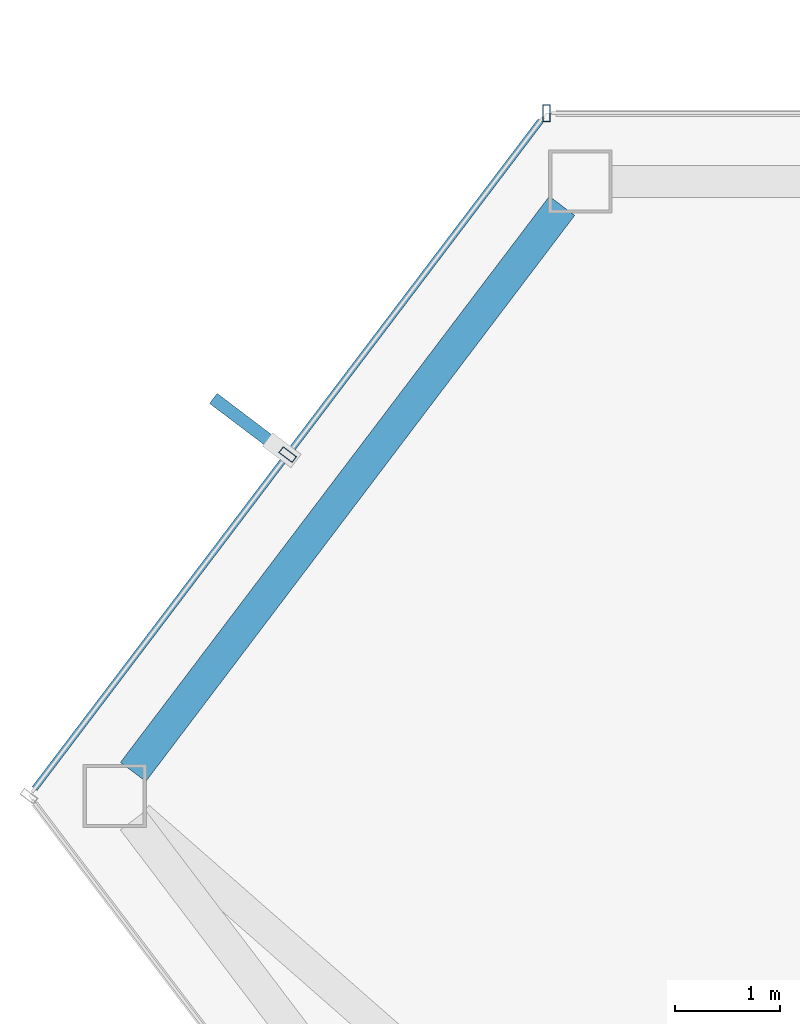
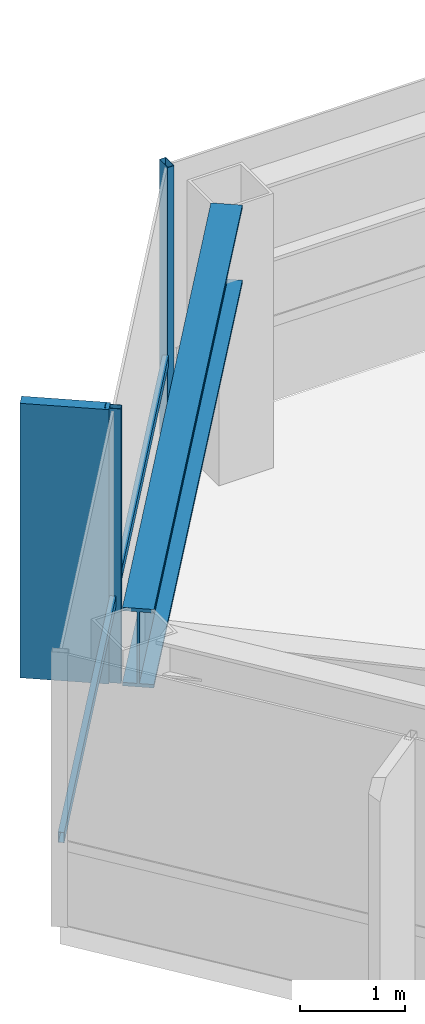
# One storey, part 10 of 25: 4 members, 1 beam, 2 elements without a shape of their own.
"""IFC4 building model written with IfcOpenShell, lengths in metres."""

import ifcopenshell
import ifcopenshell.guid

model = None  # the IFC model being written
_history = None  # IfcOwnerHistory: only IFC2X3 demands one
_inside = {}  # id of a spatial element -> (the spatial element, [elements in it])
_under = {}  # id of a project, library or spatial element -> (it, [spatial elements below it])
_declared = {}  # id of a project -> (the project, [libraries it declares])
_typed = {}  # id of a type object -> (the type object, [elements of that type])
_made_of = {}  # id of a material, layer set ... -> (it, [elements and type objects made of it])


def new_model(schema):
    """Start an empty IFC model of exactly this schema.

    Asked for "IFC4X3", IfcOpenShell would pick the latest addendum, in which some entities
    have other attributes; the version numbers below select the first issue.
    IFC2X3 requires an IfcOwnerHistory on every rooted entity: one is made here for all.
    """
    global model, _history
    if schema == "IFC4X3":
        model = ifcopenshell.file(schema_version=(4, 3, 0, 0))
    else:
        model = ifcopenshell.file(schema=schema)
    _inside.clear()
    _under.clear()
    _declared.clear()
    _typed.clear()
    _made_of.clear()
    _history = None
    if model.schema == "IFC2X3":
        org = make("IfcOrganization", Name="unknown")
        user = make(
            "IfcPersonAndOrganization",
            ThePerson=make("IfcPerson", FamilyName="unknown"),
            TheOrganization=org,
        )
        app = make(
            "IfcApplication",
            ApplicationDeveloper=org,
            Version="unknown",
            ApplicationFullName="unknown",
            ApplicationIdentifier="unknown",
        )
        _history = make(
            "IfcOwnerHistory",
            OwningUser=user,
            OwningApplication=app,
            ChangeAction="ADDED",
            CreationDate=0,
        )
    return model


def make(cls, **values):
    """One entity of the class cls with the attributes given. An attribute that is None is left unset."""
    return model.create_entity(
        cls, **{name: value for name, value in values.items() if value is not None}
    )


def rooted(cls, **values):
    """An entity with a GlobalId (a new one), such as an element, a storey or a relation."""
    return make(cls, GlobalId=ifcopenshell.guid.new(), OwnerHistory=_history, **values)


def si_unit(unit_type, name, prefix=None):
    """IfcSIUnit, for example si_unit("LENGTHUNIT", "METRE", prefix="MILLI")."""
    return make("IfcSIUnit", UnitType=unit_type, Prefix=prefix, Name=name)


def assignment(units):
    """IfcUnitAssignment: the units of a project."""
    return None if units is None else make("IfcUnitAssignment", Units=units)


def point(xyz):
    """IfcCartesianPoint."""
    return None if xyz is None else make("IfcCartesianPoint", Coordinates=xyz)


def direction(xyz):
    """IfcDirection."""
    return None if xyz is None else make("IfcDirection", DirectionRatios=xyz)


def frame(location, z_axis=None, x_axis=None):
    """IfcAxis2Placement3D, a coordinate frame: its origin and axes. An axis left out is left unset."""
    return make(
        "IfcAxis2Placement3D",
        Location=point(location),
        Axis=direction(z_axis),
        RefDirection=direction(x_axis),
    )


def frame_2d(location, x_axis=None):
    """IfcAxis2Placement2D, a coordinate frame in the plane: its origin and x axis."""
    return make(
        "IfcAxis2Placement2D", Location=point(location), RefDirection=direction(x_axis)
    )


def origin():
    """The frame at (0, 0, 0) with its axes left unset."""
    return frame((0.0, 0.0, 0.0))


def origin_2d():
    """The frame at (0, 0) in the plane with its x axis left unset."""
    return frame_2d((0.0, 0.0))


def place(relative_to, where):
    """IfcLocalPlacement: puts the frame where relative to a parent placement (None: the world)."""
    return make(
        "IfcLocalPlacement", PlacementRelTo=relative_to, RelativePlacement=where
    )


def context(
    kind, dimensions, precision=None, world=None, true_north=None, identifier=None
):
    """IfcGeometricRepresentationContext, for example the 3D "Model" context."""
    return make(
        "IfcGeometricRepresentationContext",
        ContextIdentifier=identifier,
        ContextType=kind,
        CoordinateSpaceDimension=dimensions,
        Precision=precision,
        WorldCoordinateSystem=world,
        TrueNorth=true_north,
    )


def subcontext(parent, identifier, kind, view, scale=None):
    """IfcGeometricRepresentationSubContext, for example "Body" below "Model"."""
    return make(
        "IfcGeometricRepresentationSubContext",
        ContextIdentifier=identifier,
        ContextType=kind,
        ParentContext=parent,
        TargetScale=scale,
        TargetView=view,
    )


def project(units=None, contexts=None):
    """IfcProject with its units and contexts."""
    return rooted(
        "IfcProject",
        Name="project",
        RepresentationContexts=contexts,
        UnitsInContext=assignment(units),
    )


def spatial(cls, under=None, at=None, **own):
    """A site, building, storey or space (cls), placed at a placement, below another one or the project."""
    s = rooted(cls, ObjectPlacement=at, **own)
    if under is not None:
        _under.setdefault(under.id(), (under, []))[1].append(s)
    return s


def profile(cls, at=None, kind="AREA", **sizes):
    """A parametric profile (cls). Its sizes go by their IFC names, for example OverallWidth=200.0."""
    return make(cls, ProfileType=kind, Position=at, **sizes)


def rectangle(**sizes):
    """IfcRectangleProfileDef."""
    return profile("IfcRectangleProfileDef", **sizes)


def hollow_rectangle(**sizes):
    """IfcRectangleHollowProfileDef."""
    return profile("IfcRectangleHollowProfileDef", **sizes)


def i_section(**sizes):
    """IfcIShapeProfileDef."""
    return profile("IfcIShapeProfileDef", **sizes)


def extrude(swept, where, along, depth):
    """IfcExtrudedAreaSolid: the profile swept, set in the frame where, extruded along a direction by depth."""
    return make(
        "IfcExtrudedAreaSolid",
        SweptArea=swept,
        Position=where,
        ExtrudedDirection=direction(along),
        Depth=depth,
    )


def shape(context_of_items, identifier, shape_type, items):
    """IfcShapeRepresentation: the items that make up one representation, for example the "Body"."""
    return make(
        "IfcShapeRepresentation",
        ContextOfItems=context_of_items,
        RepresentationIdentifier=identifier,
        RepresentationType=shape_type,
        Items=items,
    )


def material(Name=None, Category=None):
    """IfcMaterial."""
    return make("IfcMaterial", Name=Name, Category=Category)


def layer(
    of_material, thickness, ventilated=None, Name=None, Category=None, Priority=None
):
    """IfcMaterialLayer: one layer of a wall or slab, of a material (None: an air gap)."""
    return make(
        "IfcMaterialLayer",
        Material=of_material,
        LayerThickness=thickness,
        IsVentilated=ventilated,
        Name=Name,
        Category=Category,
        Priority=Priority,
    )


def layer_set(layers, Name=None):
    """IfcMaterialLayerSet."""
    return make("IfcMaterialLayerSet", MaterialLayers=layers, LayerSetName=Name)


def material_profile(
    of_material, cross_section, Name=None, Category=None, Priority=None
):
    """IfcMaterialProfile: a cross section and its material."""
    return make(
        "IfcMaterialProfile",
        Name=Name,
        Material=of_material,
        Profile=cross_section,
        Priority=Priority,
        Category=Category,
    )


def profile_set(profiles, Name=None, composite=None):
    """IfcMaterialProfileSet."""
    return make(
        "IfcMaterialProfileSet",
        Name=Name,
        MaterialProfiles=profiles,
        CompositeProfile=composite,
    )


def made_of(thing, what):
    """Note that an element or type object is made of a material, layer set ...; save() writes the relation."""
    if what is not None:
        _made_of.setdefault(what.id(), (what, []))[1].append(thing)
    return thing


def type_object(cls, material=None, **own):
    """A type object (cls), such as IfcWallType, which elements share."""
    return made_of(rooted(cls, **own), material)


def element(
    cls,
    number,
    at=None,
    inside=None,
    cuts=None,
    type_object=None,
    material=None,
    context=None,
    identifier="Body",
    shape_type=None,
    held_by="IfcProductDefinitionShape",
    body=None,
    shapes=None,
    **own,
):
    """One element of the class cls, such as IfcWall. Its Tag is "e" and its number.

    at: its placement. inside: the storey or other place that contains it. cuts: it is an
    opening in that element (IfcRelVoidsElement). A single representation is given by context,
    identifier, shape_type and body (its items); several are given by shapes. held_by: the class
    of the entity that holds the representations. save() writes the other relations.
    """
    e = rooted(cls, Tag="e%d" % number, ObjectPlacement=at, **own)
    if body is not None:
        shapes = [shape(context, identifier, shape_type, body)]
    if shapes is not None:
        e.Representation = make(held_by, Representations=shapes)
    if inside is not None:
        _inside.setdefault(inside.id(), (inside, []))[1].append(e)
    if cuts is not None:
        rooted(
            "IfcRelVoidsElement", RelatingBuildingElement=cuts, RelatedOpeningElement=e
        )
    if type_object is not None:
        _typed.setdefault(type_object.id(), (type_object, []))[1].append(e)
    return made_of(e, material)


def aggregate(whole, parts):
    """IfcRelAggregates: a whole, such as a stair, and the parts it consists of."""
    return rooted("IfcRelAggregates", RelatingObject=whole, RelatedObjects=parts)


def save(model, path):
    """Write the relations noted so far, then the file.

    IfcRelAggregates (storeys below a building ...), IfcRelContainedInSpatialStructure (elements
    in a storey), IfcRelDefinesByType, IfcRelAssociatesMaterial and IfcRelDeclares: one each for
    every whole, place, type object, material and project.
    """
    for whole, parts in _under.values():
        aggregate(whole, parts)
    for where, things in _inside.values():
        rooted(
            "IfcRelContainedInSpatialStructure",
            RelatedElements=things,
            RelatingStructure=where,
        )
    for kind, things in _typed.values():
        rooted("IfcRelDefinesByType", RelatedObjects=things, RelatingType=kind)
    for what, things in _made_of.values():
        rooted("IfcRelAssociatesMaterial", RelatedObjects=things, RelatingMaterial=what)
    for by, libraries in _declared.values():
        rooted("IfcRelDeclares", RelatingContext=by, RelatedDefinitions=libraries)
    model.write(path)


model = new_model("IFC4")

# Units and contexts
model_context = context("Model", 3, precision=1e-05, world=origin(), true_north=direction((0.0, 1.0)))
body_context = subcontext(model_context, "Body", "Model", "MODEL_VIEW")
ifc_project = project(units=[si_unit("LENGTHUNIT", "METRE"), si_unit("AREAUNIT", "SQUARE_METRE"), si_unit("VOLUMEUNIT", "CUBIC_METRE"), si_unit("PLANEANGLEUNIT", "RADIAN"), si_unit("MASSUNIT", "GRAM", prefix="KILO")], contexts=[model_context])

# Site, building, storey
site_placement = place(None, origin())
site = spatial("IfcSite", under=ifc_project, at=site_placement, CompositionType="ELEMENT")
building_placement = place(site_placement, origin())
building = spatial("IfcBuilding", under=site, at=building_placement, Name="Zarrinselat Tower", CompositionType="ELEMENT")
storey_placement = place(building_placement, frame((0.0, 0.0, 239.360107421875)))
storey = spatial("IfcBuildingStorey", under=building, at=storey_placement, Name="L60", CompositionType="ELEMENT", Elevation=239.360107421875)

# Beam
ifc_material_1 = material(Name="Steel S460M", Category="steel")
ifc_material_profile_1 = material_profile(ifc_material_1, i_section(OverallWidth=0.302001953125, OverallDepth=0.909912109375, WebThickness=0.02099609375, FlangeThickness=0.0400390625, at=origin_2d()), Name="HEM 900")
ifc_profile_set_1 = profile_set([ifc_material_profile_1], Name="Steel S460M")
beam_type = type_object("IfcBeamType", Name="BM-HEM900", PredefinedType="BEAM", material=ifc_profile_set_1)
beam_placement = place(storey_placement, frame((16.4970703125, 41.805419921875, 2.724853515625), z_axis=(0.603884867536, 0.797071556863, 0.0), x_axis=(-0.797071556863, 0.603884867536, 0.0)))
element("IfcBeam", 1, at=beam_placement, inside=storey, type_object=beam_type, Name="L60 Perimeter Spandrel Girder SP05", PredefinedType="BEAM", context=body_context, shape_type="SweptSolid", body=[
    extrude(i_section(OverallWidth=0.302001953125, OverallDepth=0.909912109375, WebThickness=0.02099609375, FlangeThickness=0.0400390625, at=origin_2d()), origin(), (0.0, 0.0, 1.0), 6.74462890625),
])

# Curtain wall, member
ifc_material_2 = material(Name="Extruded Aluminium Alloy EN AW-6063 T6", Category="aluminium")
ifc_layer = layer(ifc_material_2, 0.169921875)
ifc_layer_set = layer_set([ifc_layer], Name="Extruded Aluminium Alloy EN AW-6063 T6")
curtain_wall_type = type_object("IfcCurtainWallType", Name="CWS-RES", PredefinedType="NOTDEFINED", material=ifc_layer_set)
curtain_wall_1_placement = place(storey_placement, origin())
curtain_wall_1 = element("IfcCurtainWall", 2, at=curtain_wall_1_placement, inside=storey, type_object=curtain_wall_type, Name="L60 Unitised Curtain Wall CW-L60-E01", PredefinedType="NOTDEFINED")
ifc_material_3 = material(Name="Extruded Aluminium Alloy EN AW-6063 T6", Category="aluminium")
ifc_material_profile_2 = material_profile(ifc_material_3, hollow_rectangle(XDim=0.070068359375, YDim=0.159912109375, WallThickness=0.00390625, at=origin_2d()), Name="RHS 160x70x4")
ifc_profile_set_2 = profile_set([ifc_material_profile_2], Name="Extruded Aluminium Alloy EN AW-6063 T6")
member_type_1 = type_object("IfcMemberType", Name="MEM-CW-MUL2", PredefinedType="MULLION", material=ifc_profile_set_2)
member_1_placement = place(storey_placement, frame((20.4208984375, 48.06103515625, 0.0), z_axis=(0.0, 0.0, 1.0), x_axis=(-1.0, 0.0, 0.0)))
member_1 = element("IfcMember", 3, at=member_1_placement, type_object=member_type_1, Name="CW-L60-E01 Mullion 13", PredefinedType="MULLION", context=body_context, shape_type="SweptSolid", body=[
    extrude(hollow_rectangle(XDim=0.070068359375, YDim=0.159912109375, WallThickness=0.00390625, at=origin_2d()), origin(), (0.0, 0.0, 1.0), 3.179931640625),
])
aggregate(curtain_wall_1, [member_1])

# Curtain wall, members
curtain_wall_2_placement = place(storey_placement, origin())
curtain_wall_2 = element("IfcCurtainWall", 4, at=curtain_wall_2_placement, inside=storey, type_object=curtain_wall_type, Name="L60 Unitised Curtain Wall CW-L60-E02", PredefinedType="NOTDEFINED")
member_2_placement = place(storey_placement, frame((17.96435546875, 44.818359375, 0.0), z_axis=(0.0, 0.0, 1.0), x_axis=(-0.603859107785, -0.797091072554, 0.0)))
member_2 = element("IfcMember", 5, at=member_2_placement, type_object=member_type_1, Name="CW-L60-E02 Mullion 1", PredefinedType="MULLION", context=body_context, shape_type="SweptSolid", body=[
    extrude(hollow_rectangle(XDim=0.070068359375, YDim=0.159912109375, WallThickness=0.00390625, at=origin_2d()), origin(), (0.0, 0.0, 1.0), 3.179931640625),
])
ifc_material_4 = material(Name="Extruded Aluminium Alloy EN AW-6063 T6", Category="aluminium")
ifc_material_profile_3 = material_profile(ifc_material_4, hollow_rectangle(XDim=0.06005859375, YDim=0.1201171875, WallThickness=0.00390625, at=origin_2d()), Name="RHS 120x60x4")
ifc_profile_set_3 = profile_set([ifc_material_profile_3], Name="Extruded Aluminium Alloy EN AW-6063 T6")
member_type_2 = type_object("IfcMemberType", Name="MEM-CW-TRN2", PredefinedType="USERDEFINED", material=ifc_profile_set_3)
member_3_placement = place(storey_placement, frame((20.36669921875, 47.989501953125, 0.949951171875), z_axis=(-0.60386654952, -0.797085434801, 0.0), x_axis=(0.797085434801, -0.60386654952, 0.0)))
member_3 = element("IfcMember", 6, at=member_3_placement, type_object=member_type_2, Name="CW-L60-E02 Transom 1", ObjectType="TRANSOM", PredefinedType="USERDEFINED", context=body_context, shape_type="SweptSolid", body=[
    extrude(hollow_rectangle(XDim=0.06005859375, YDim=0.1201171875, WallThickness=0.00390625, at=origin_2d()), origin(), (0.0, 0.0, 1.0), 7.95654296875),
])
ifc_material_5 = material(Name="Honed Cream Travertine Stone", Category="masonry")
ifc_material_profile_4 = material_profile(ifc_material_5, rectangle(XDim=0.1201171875, YDim=0.85009765625, at=origin_2d()), Name="FIN 850x120")
ifc_profile_set_4 = profile_set([ifc_material_profile_4], Name="Honed Cream Travertine Stone")
member_type_3 = type_object("IfcMemberType", Name="MEM-STONE-FIN", PredefinedType="USERDEFINED", material=ifc_profile_set_4)
member_4_placement = place(storey_placement, frame((17.59765625, 45.09619140625, 0.0), z_axis=(0.0, 0.0, 1.0), x_axis=(0.603859107785, 0.797091072554, 0.0)))
member_4 = element("IfcMember", 7, at=member_4_placement, type_object=member_type_3, Name="L60 Stone Shading Fin CW-L60-E02-01", ObjectType="FIN", PredefinedType="USERDEFINED", context=body_context, shape_type="SweptSolid", body=[
    extrude(rectangle(XDim=0.1201171875, YDim=0.85009765625, at=origin_2d()), origin(), (0.0, 0.0, 1.0), 3.179931640625),
])
aggregate(curtain_wall_2, [member_2, member_4, member_3])

save(model, "model.ifc")
